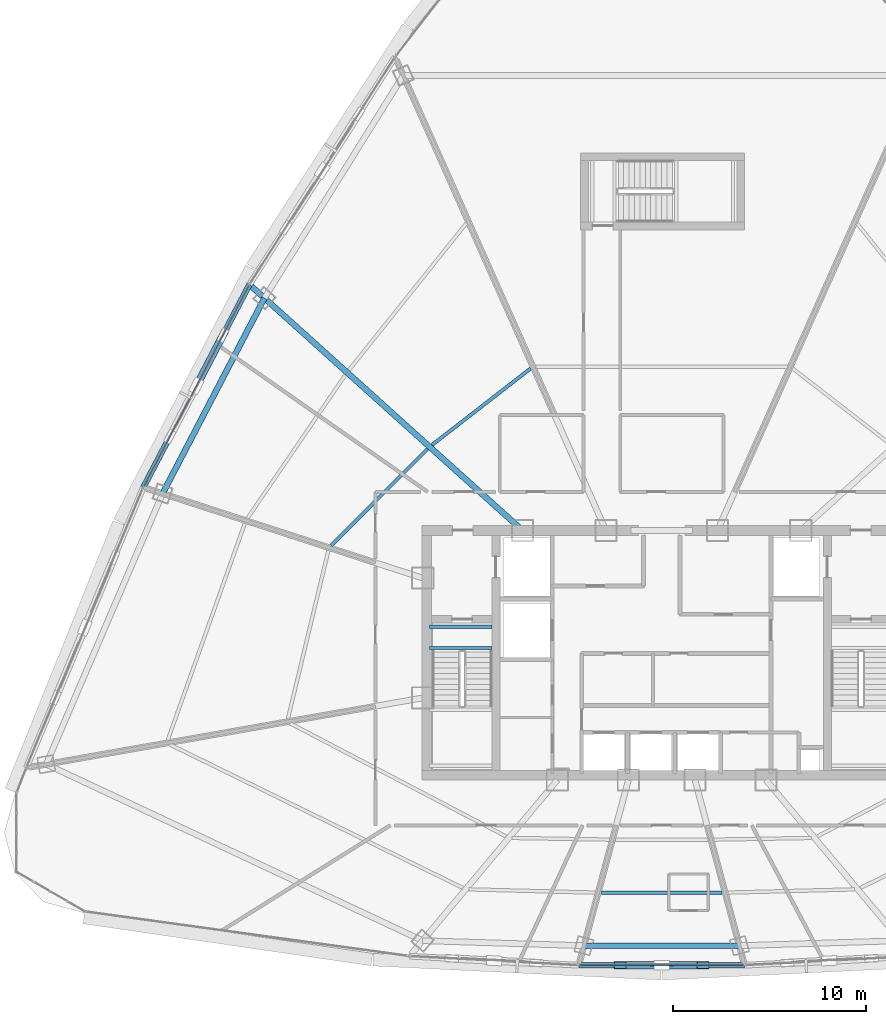
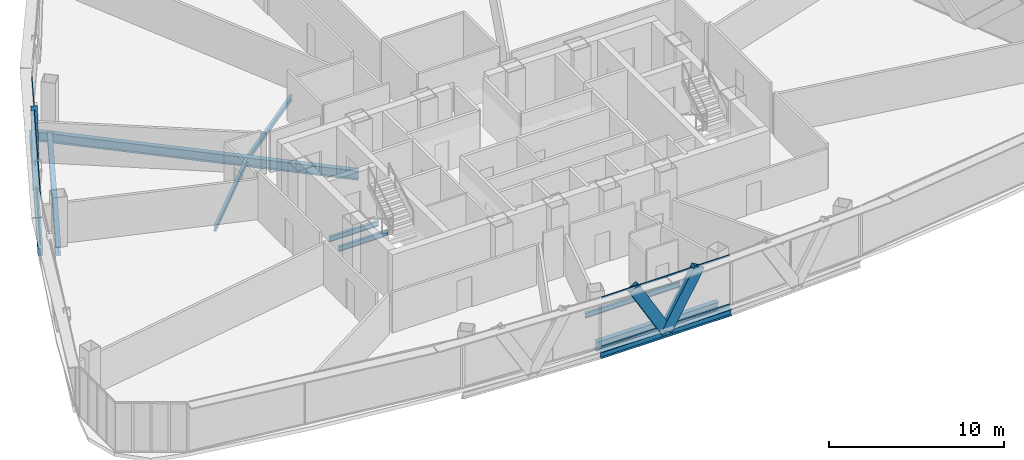
# One storey, part 9 of 36: 10 beams, 7 members, 2 elements without a shape of their own.
"""IFC4 building model written with IfcOpenShell, lengths in metres."""

from ifc_helpers import new_model, si_unit, direction, frame, origin, origin_2d, place, context, subcontext, project, spatial, hollow_rectangle, i_section, extrude, source, transform, mapped, material, layer, layer_set, material_profile, profile_set, type_object, element, aggregate, save


model = new_model("IFC4")

# Units and contexts
model_context = context("Model", 3, precision=1e-05, world=origin(), true_north=direction((0.0, 1.0)))
body_context = subcontext(model_context, "Body", "Model", "MODEL_VIEW")
ifc_project = project(units=[si_unit("LENGTHUNIT", "METRE"), si_unit("AREAUNIT", "SQUARE_METRE"), si_unit("VOLUMEUNIT", "CUBIC_METRE"), si_unit("PLANEANGLEUNIT", "RADIAN"), si_unit("MASSUNIT", "GRAM", prefix="KILO"), si_unit("THERMODYNAMICTEMPERATUREUNIT", "KELVIN"), si_unit("POWERUNIT", "WATT")], contexts=[model_context])

# Site, building, storey
site_placement = place(None, origin())
site = spatial("IfcSite", under=ifc_project, at=site_placement, CompositionType="ELEMENT")
building_placement = place(site_placement, origin())
building = spatial("IfcBuilding", under=site, at=building_placement, Name="Yunzhuo Pagoda Commons", CompositionType="ELEMENT")
storey_placement = place(building_placement, frame((0.0, 0.0, 263.179931640625)))
storey = spatial("IfcBuildingStorey", under=building, at=storey_placement, Name="L66", CompositionType="ELEMENT", Elevation=263.179931640625)

# Beams
ifc_material_1 = material(Name="Structural steel Q355B", Category="steel")
ifc_material_profile_1 = material_profile(ifc_material_1, i_section(OverallWidth=0.175048828125, OverallDepth=0.35009765625, WebThickness=0.007080078125, FlangeThickness=0.010986328125, at=origin_2d()), Name="Structural steel Q355B")
ifc_profile_set_1 = profile_set([ifc_material_profile_1], Name="Structural steel Q355B")
beam_type_1 = type_object("IfcBeamType", Name="B-JS2 Joist HN 350x175x7x11", PredefinedType="JOIST", material=ifc_profile_set_1)
shared_shape_1 = source(origin(), body_context, "Body", "SweptSolid", [
    extrude(i_section(OverallWidth=0.175048828125, OverallDepth=0.35009765625, WebThickness=0.007080078125, FlangeThickness=0.010986328125, at=origin_2d()), origin(), (0.0, 0.0, 1.0), 3.25),
])
for number, where, z_axis, x_axis, name in (
    (1, (35.949951171875, 34.10009765625, -0.375), (1.0, 0.0, 0.0), (0.0, 1.0, 0.0), "L66 ST1 landing support beam 170A"),
    (2, (35.949951171875, 35.199951171875, -0.375), (1.0, 0.0, 0.0), (0.0, 1.0, 0.0), "L66 ST1 landing support beam 170B"),
):
    element("IfcBeam", number, at=place(storey_placement, frame(where, z_axis=z_axis, x_axis=x_axis)), inside=storey, type_object=beam_type_1, Name=name, PredefinedType="JOIST", context=body_context, shape_type="MappedRepresentation", body=[
        mapped(shared_shape_1, transform((0.0, 0.0, 0.0), scale=1.0)),
    ])
ifc_material_profile_2 = material_profile(ifc_material_1, i_section(OverallWidth=0.300048828125, OverallDepth=0.64990234375, WebThickness=0.012939453125, FlangeThickness=0.02197265625, at=origin_2d()), Name="Structural steel Q355B")
ifc_profile_set_2 = profile_set([ifc_material_profile_2], Name="Structural steel Q355B")
beam_type_2 = type_object("IfcBeamType", Name="B-RG2 Beam HN 650x300x13x22", PredefinedType="BEAM", material=ifc_profile_set_2)
shared_shape_2 = source(origin(), body_context, "Body", "SweptSolid", [
    extrude(i_section(OverallWidth=0.300048828125, OverallDepth=0.64990234375, WebThickness=0.012939453125, FlangeThickness=0.02197265625, at=origin_2d()), origin(), (0.0, 0.0, 1.0), 8.06298828125),
])
beam_1_placement = place(storey_placement, frame((43.968505859375, 18.654052734375, -0.5849609375), z_axis=(1.0, 0.0, 0.0), x_axis=(0.0, 1.0, 0.0)))
element("IfcBeam", 3, at=beam_1_placement, inside=storey, type_object=beam_type_2, Name="L66 column-ring beam 2", PredefinedType="BEAM", context=body_context, shape_type="MappedRepresentation", body=[
    mapped(shared_shape_2, transform((0.0, 0.0, 0.0), scale=1.0)),
])
shared_shape_3 = source(origin(), body_context, "Body", "SweptSolid", [
    extrude(i_section(OverallWidth=0.300048828125, OverallDepth=0.64990234375, WebThickness=0.012939453125, FlangeThickness=0.02197265625, at=origin_2d()), origin(), (0.0, 0.0, 1.0), 11.43896484375),
])
beam_2_placement = place(storey_placement, frame((27.38818359375, 52.259033203125, -0.5849609375), z_axis=(-0.462142168026, -0.886805850529, 0.0), x_axis=(0.886805850529, -0.462142168026, 0.0)))
element("IfcBeam", 4, at=beam_2_placement, inside=storey, type_object=beam_type_2, Name="L66 column-ring beam 10", PredefinedType="BEAM", context=body_context, shape_type="MappedRepresentation", body=[
    mapped(shared_shape_3, transform((0.0, 0.0, 0.0), scale=1.0)),
])
shared_shape_4 = source(origin(), body_context, "Body", "SweptSolid", [
    extrude(i_section(OverallWidth=0.175048828125, OverallDepth=0.35009765625, WebThickness=0.007080078125, FlangeThickness=0.010986328125, at=origin_2d()), origin(), (0.0, 0.0, 1.0), 6.27099609375),
])
beam_3_placement = place(storey_placement, frame((44.864501953125, 21.40478515625, -0.434814453125), z_axis=(1.0, 0.0, 0.0), x_axis=(0.0, 1.0, 0.0)))
element("IfcBeam", 5, at=beam_3_placement, inside=storey, type_object=beam_type_1, Name="L66 composite ring joist 2.2", PredefinedType="JOIST", context=body_context, shape_type="MappedRepresentation", body=[
    mapped(shared_shape_4, transform((0.0, 0.0, 0.0), scale=1.0)),
])
shared_shape_5 = source(origin(), body_context, "Body", "SweptSolid", [
    extrude(i_section(OverallWidth=0.175048828125, OverallDepth=0.35009765625, WebThickness=0.007080078125, FlangeThickness=0.010986328125, at=origin_2d()), origin(), (0.0, 0.0, 1.0), 7.0732421875),
])
beam_4_placement = place(storey_placement, frame((35.847412109375, 44.4287109375, -0.434814453125), z_axis=(-0.706139657206, -0.708072584218, 0.0), x_axis=(0.708072584218, -0.706139657206, 0.0)))
element("IfcBeam", 6, at=beam_4_placement, inside=storey, type_object=beam_type_1, Name="L66 composite ring joist 1.10", PredefinedType="JOIST", context=body_context, shape_type="MappedRepresentation", body=[
    mapped(shared_shape_5, transform((0.0, 0.0, 0.0), scale=1.0)),
])
shared_shape_6 = source(origin(), body_context, "Body", "SweptSolid", [
    extrude(i_section(OverallWidth=0.175048828125, OverallDepth=0.35009765625, WebThickness=0.007080078125, FlangeThickness=0.010986328125, at=origin_2d()), origin(), (0.0, 0.0, 1.0), 6.4677734375),
])
beam_5_placement = place(storey_placement, frame((41.19580078125, 48.602783203125, -0.434814453125), z_axis=(-0.790160481991, -0.612900002202, 0.0), x_axis=(0.612900002202, -0.790160481991, 0.0)))
element("IfcBeam", 7, at=beam_5_placement, inside=storey, type_object=beam_type_1, Name="L66 composite ring joist 1.9", PredefinedType="JOIST", context=body_context, shape_type="MappedRepresentation", body=[
    mapped(shared_shape_6, transform((0.0, 0.0, 0.0), scale=1.0)),
])
shared_shape_7 = source(origin(), body_context, "Body", "SweptSolid", [
    extrude(i_section(OverallWidth=0.300048828125, OverallDepth=0.64990234375, WebThickness=0.012939453125, FlangeThickness=0.02197265625, at=origin_2d()), origin(), (0.0, 0.0, 1.0), 18.9169921875),
])
beam_6_placement = place(storey_placement, frame((26.722900390625, 52.85791015625, -0.5849609375), z_axis=(0.743145246976, -0.669130138237, 0.0), x_axis=(0.669130138237, 0.743145246976, 0.0)))
element("IfcBeam", 8, at=beam_6_placement, inside=storey, type_object=beam_type_2, Name="L66 radial floor girder F3C2", PredefinedType="BEAM", context=body_context, shape_type="MappedRepresentation", body=[
    mapped(shared_shape_7, transform((0.0, 0.0, 0.0), scale=1.0)),
])
ifc_material_profile_3 = material_profile(ifc_material_1, i_section(OverallWidth=0.300048828125, OverallDepth=0.43994140625, WebThickness=0.010986328125, FlangeThickness=0.01806640625, at=origin_2d()), Name="Structural steel Q355B")
ifc_profile_set_3 = profile_set([ifc_material_profile_3], Name="Structural steel Q355B")
beam_type_3 = type_object("IfcBeamType", Name="B-SP2 Beam HM 440x300x11x18", PredefinedType="BEAM", material=ifc_profile_set_3)
shared_shape_8 = source(origin(), body_context, "Body", "SweptSolid", [
    extrude(i_section(OverallWidth=0.300048828125, OverallDepth=0.43994140625, WebThickness=0.010986328125, FlangeThickness=0.01806640625, at=origin_2d()), origin(), (0.0, 0.0, 1.0), 8.6064453125),
])
beam_7_placement = place(storey_placement, frame((43.69677734375, 17.6396484375, -0.47998046875), z_axis=(1.0, 0.0, 0.0), x_axis=(0.0, 1.0, 0.0)))
element("IfcBeam", 9, at=beam_7_placement, inside=storey, type_object=beam_type_3, Name="L66 facade edge spandrel beam F1.2", PredefinedType="BEAM", context=body_context, shape_type="MappedRepresentation", body=[
    mapped(shared_shape_8, transform((0.0, 0.0, 0.0), scale=1.0)),
])
shared_shape_9 = source(origin(), body_context, "Body", "SweptSolid", [
    extrude(i_section(OverallWidth=0.300048828125, OverallDepth=0.43994140625, WebThickness=0.010986328125, FlangeThickness=0.01806640625, at=origin_2d()), origin(), (0.0, 0.0, 1.0), 11.875244140625),
])
beam_8_placement = place(storey_placement, frame((26.60791015625, 52.961669921875, -0.47998046875), z_axis=(-0.463576744951, -0.88605677106, 0.0), x_axis=(0.88605677106, -0.463576744951, 0.0)))
element("IfcBeam", 10, at=beam_8_placement, inside=storey, type_object=beam_type_3, Name="L66 facade edge spandrel beam F3.2", PredefinedType="BEAM", context=body_context, shape_type="MappedRepresentation", body=[
    mapped(shared_shape_9, transform((0.0, 0.0, 0.0), scale=1.0)),
])

# Members
ifc_material_profile_4 = material_profile(ifc_material_1, hollow_rectangle(XDim=0.3798828125, YDim=0.719970703125, WallThickness=0.02001953125, at=origin_2d()), Name="Structural steel Q355B")
ifc_profile_set_4 = profile_set([ifc_material_profile_4], Name="Structural steel Q355B")
member_type_1 = type_object("IfcMemberType", Name="M-DL3 Brace BOX 720x380x20", PredefinedType="BRACE", material=ifc_profile_set_4)
shared_shape_10 = source(origin(), body_context, "Body", "SweptSolid", [
    extrude(hollow_rectangle(XDim=0.3798828125, YDim=0.719970703125, WallThickness=0.02001953125, at=origin_2d()), origin(), (0.0, 0.0, 1.0), 4.30615234375),
])
for number, where, z_axis, x_axis, name in (
    (11, (48.0, 17.6396484375, -0.260009765625), (-0.499670097581, 0.0, 0.866215789271), (0.0, -1.0, 0.0), "L66 facade diamond brace F1.2L"),
    (12, (48.0, 17.6396484375, -0.260009765625), (0.499670097581, 0.0, 0.866215789271), (0.0, 1.0, 0.0), "L66 facade diamond brace F1.2R"),
):
    element("IfcMember", number, at=place(storey_placement, frame(where, z_axis=z_axis, x_axis=x_axis)), inside=storey, type_object=member_type_1, Name=name, PredefinedType="BRACE", context=body_context, shape_type="MappedRepresentation", body=[
        mapped(shared_shape_10, transform((0.0, 0.0, 0.0), scale=1.0)),
    ])
shared_shape_11 = source(origin(), body_context, "Body", "SweptSolid", [
    extrude(hollow_rectangle(XDim=0.3798828125, YDim=0.719970703125, WallThickness=0.02001953125, at=origin_2d()), origin(), (0.0, 0.0, 1.0), 4.76708984375),
])
member_1_placement = place(storey_placement, frame((23.85546875, 47.70068359375, -0.260009765625), z_axis=(0.288736122798, 0.55176356634, 0.782424704525), x_axis=(-0.88601817891, 0.463650500529, 0.0)))
element("IfcMember", 13, at=member_1_placement, inside=storey, type_object=member_type_1, Name="L66 facade diamond brace F3.2L", PredefinedType="BRACE", context=body_context, shape_type="MappedRepresentation", body=[
    mapped(shared_shape_11, transform((0.0, 0.0, 0.0), scale=1.0)),
])

# Curtain wall, members
ifc_material_2 = material(Name="Anodized aluminium 6063-T6", Category="aluminium")
ifc_layer = layer(ifc_material_2, 0.139892578125)
ifc_layer_set = layer_set([ifc_layer], Name="Anodized aluminium 6063-T6")
curtain_wall_type = type_object("IfcCurtainWallType", Name="CW-HI High-Zone Ribbon Curtain Wall", PredefinedType="NOTDEFINED", material=ifc_layer_set)
curtain_wall_1_placement = place(storey_placement, origin())
curtain_wall_1 = element("IfcCurtainWall", 14, at=curtain_wall_1_placement, inside=storey, type_object=curtain_wall_type, Name="L66 curtain wall CW-L66-F1B3", PredefinedType="NOTDEFINED")
ifc_material_profile_5 = material_profile(ifc_material_2, hollow_rectangle(XDim=0.054931640625, YDim=0.1201171875, WallThickness=0.00341796875, at=origin_2d()), Name="Anodized aluminium 6063-T6")
ifc_profile_set_5 = profile_set([ifc_material_profile_5], Name="Anodized aluminium 6063-T6")
member_type_2 = type_object("IfcMemberType", Name="CW-HI-T Transom RHS 120x55x3.5", PredefinedType="USERDEFINED", material=ifc_profile_set_5)
shared_shape_12 = source(origin(), body_context, "Body", "SweptSolid", [
    extrude(hollow_rectangle(XDim=0.054931640625, YDim=0.1201171875, WallThickness=0.00341796875, at=origin_2d()), origin(), (0.0, 0.0, 1.0), 8.48681640625),
])
member_2_placement = place(storey_placement, frame((43.756591796875, 17.6396484375, 0.02783203125), z_axis=(1.0, 0.0, 0.0), x_axis=(0.0, 1.0, 0.0)))
member_2 = element("IfcMember", 15, at=member_2_placement, type_object=member_type_2, Name="CW transom 1.1", ObjectType="TRANSOM", PredefinedType="USERDEFINED", context=body_context, shape_type="MappedRepresentation", body=[
    mapped(shared_shape_12, transform((0.0, 0.0, 0.0), scale=1.0)),
])
member_3_placement = place(storey_placement, frame((43.756591796875, 17.6396484375, 3.442626953125), z_axis=(1.0, 0.0, 0.0), x_axis=(0.0, 1.0, 0.0)))
member_3 = element("IfcMember", 16, at=member_3_placement, type_object=member_type_2, Name="CW transom 1.2", ObjectType="TRANSOM", PredefinedType="USERDEFINED", context=body_context, shape_type="MappedRepresentation", body=[
    mapped(shared_shape_12, transform((0.0, 0.0, 0.0), scale=1.0)),
])
aggregate(curtain_wall_1, [member_2, member_3])

curtain_wall_2_placement = place(storey_placement, origin())
curtain_wall_2 = element("IfcCurtainWall", 17, at=curtain_wall_2_placement, inside=storey, type_object=curtain_wall_type, Name="L66 curtain wall CW-L66-F3B3", PredefinedType="NOTDEFINED")
shared_shape_13 = source(origin(), body_context, "Body", "SweptSolid", [
    extrude(hollow_rectangle(XDim=0.054931640625, YDim=0.1201171875, WallThickness=0.00341796875, at=origin_2d()), origin(), (0.0, 0.0, 1.0), 11.755126953125),
])
member_4_placement = place(storey_placement, frame((26.580078125, 52.908447265625, 0.02783203125), z_axis=(-0.463578557885, -0.886055822547, 0.0), x_axis=(0.886055822547, -0.463578557885, 0.0)))
member_4 = element("IfcMember", 18, at=member_4_placement, type_object=member_type_2, Name="CW transom 1.1", ObjectType="TRANSOM", PredefinedType="USERDEFINED", context=body_context, shape_type="MappedRepresentation", body=[
    mapped(shared_shape_13, transform((0.0, 0.0, 0.0), scale=1.0)),
])
member_5_placement = place(storey_placement, frame((26.580078125, 52.908447265625, 3.442626953125), z_axis=(-0.463578557885, -0.886055822547, 0.0), x_axis=(0.886055822547, -0.463578557885, 0.0)))
member_5 = element("IfcMember", 19, at=member_5_placement, type_object=member_type_2, Name="CW transom 1.2", ObjectType="TRANSOM", PredefinedType="USERDEFINED", context=body_context, shape_type="MappedRepresentation", body=[
    mapped(shared_shape_13, transform((0.0, 0.0, 0.0), scale=1.0)),
])
aggregate(curtain_wall_2, [member_4, member_5])

save(model, "model.ifc")
